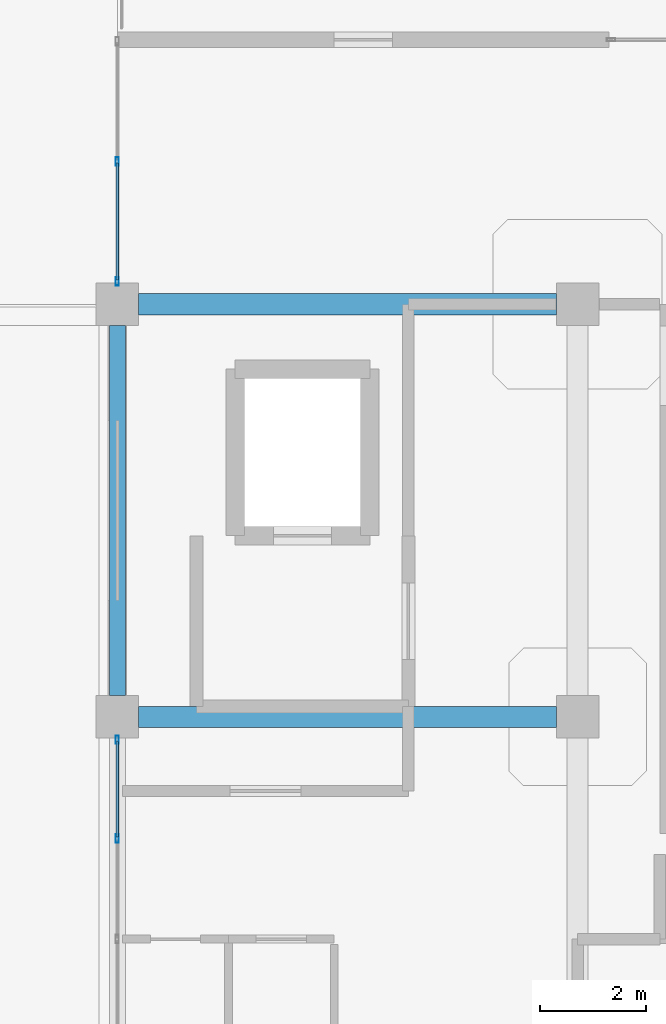
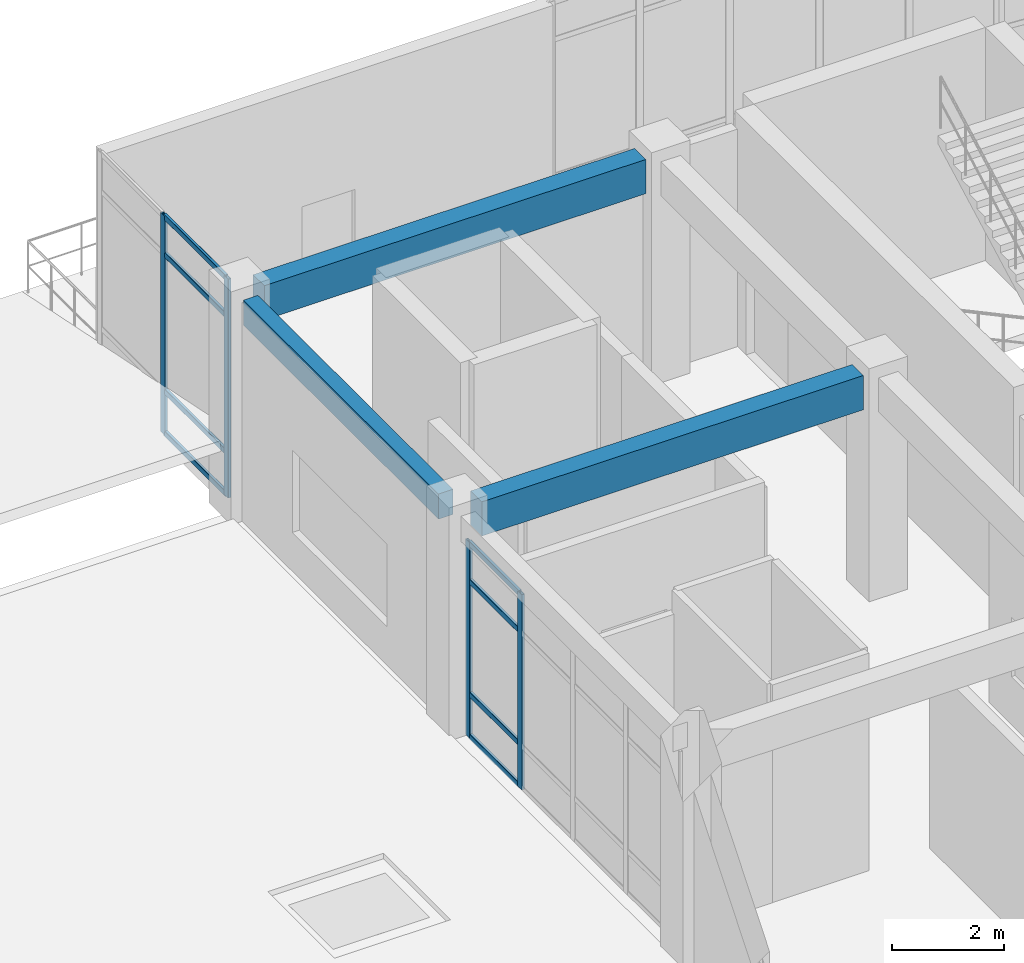
# One storey, part 65 of 124: 12 members, 3 beams, 2 elements without a shape of their own.
"""IFC4 building model written with IfcOpenShell, lengths in metres."""

from ifc_helpers import new_model, si_unit, derived_unit, direction, frame, origin, origin_2d, place, context, subcontext, project, spatial, rectangle, hollow_rectangle, extrude, material, layer, layer_set, material_profile, profile_set, type_object, element, aggregate, save


model = new_model("IFC4")

# Units and contexts
model_context = context("Model", 3, precision=1e-05, world=origin(), true_north=direction((0.0, 1.0)))
body_context = subcontext(model_context, "Body", "Model", "MODEL_VIEW")
ifc_project = project(units=[si_unit("LENGTHUNIT", "METRE"), si_unit("AREAUNIT", "SQUARE_METRE"), si_unit("VOLUMEUNIT", "CUBIC_METRE"), si_unit("PLANEANGLEUNIT", "RADIAN"), si_unit("MASSUNIT", "GRAM", prefix="KILO"), derived_unit("THERMALTRANSMITTANCEUNIT", [(si_unit("MASSUNIT", "GRAM", prefix="KILO"), 1), (si_unit("TIMEUNIT", "SECOND"), -3), (si_unit("THERMODYNAMICTEMPERATUREUNIT", "KELVIN"), -1)])], contexts=[model_context])

# Site, building, storey
site_placement = place(None, origin())
site = spatial("IfcSite", under=ifc_project, at=site_placement, CompositionType="ELEMENT")
building_placement = place(site_placement, origin())
building = spatial("IfcBuilding", under=site, at=building_placement, Name="Qinzheling Arcade Emporium", CompositionType="ELEMENT")
storey_placement = place(building_placement, frame((0.0, 0.0, 16.5)))
storey = spatial("IfcBuildingStorey", under=building, at=storey_placement, Name="L04", CompositionType="ELEMENT", Elevation=16.5)

# Curtain wall, members
ifc_material_1 = material(Name="Anodised aluminium and solar-control double glazing", Category="aluminium")
ifc_layer = layer(ifc_material_1, 0.159912109375, Name="Anodised aluminium and solar-control double glazing", Category="aluminium")
ifc_layer_set = layer_set([ifc_layer], Name="Anodised aluminium and solar-control double glazing")
curtain_wall_type = type_object("IfcCurtainWallType", Name="Arcade Portal Glazed Curtain Wall", PredefinedType="NOTDEFINED", material=ifc_layer_set)
curtain_wall_1_placement = place(storey_placement, origin())
curtain_wall_1 = element("IfcCurtainWall", 1, at=curtain_wall_1_placement, inside=storey, type_object=curtain_wall_type, Name="Curtain Wall CW-L04-261", PredefinedType="NOTDEFINED")
ifc_material_2 = material(Name="Anodised aluminium 6063-T6", Category="aluminium")
ifc_material_profile_1 = material_profile(ifc_material_2, hollow_rectangle(XDim=0.06005859375, YDim=0.159912109375, WallThickness=0.00390625, InnerFilletRadius=0.00390625, OuterFilletRadius=0.008056640625, at=origin_2d()), Name="RHS 160x60x4", Category="aluminium")
ifc_profile_set_1 = profile_set([ifc_material_profile_1], Name="Anodised aluminium 6063-T6")
member_type_1 = type_object("IfcMemberType", Name="Curtain Wall Mullion RHS160x60", PredefinedType="MULLION", material=ifc_profile_set_1)
member_1_placement = place(storey_placement, frame((104.39990234375, 96.698974609375, 0.0), z_axis=(0.0, 0.0, 1.0), x_axis=(-1.0, 0.0, 0.0)))
member_1 = element("IfcMember", 2, at=member_1_placement, type_object=member_type_1, Name="CW05 mullion 4", PredefinedType="MULLION", context=body_context, shape_type="SweptSolid", body=[
    extrude(hollow_rectangle(XDim=0.06005859375, YDim=0.159912109375, WallThickness=0.00390625, InnerFilletRadius=0.00390625, OuterFilletRadius=0.008056640625, at=origin_2d()), origin(), (0.0, 0.0, 1.0), 4.27001953125),
])
member_2_placement = place(storey_placement, frame((104.39990234375, 98.568115234375, 0.0), z_axis=(0.0, 0.0, 1.0), x_axis=(-1.0, 0.0, 0.0)))
member_2 = element("IfcMember", 3, at=member_2_placement, type_object=member_type_1, Name="CW05 mullion 5", PredefinedType="MULLION", context=body_context, shape_type="SweptSolid", body=[
    extrude(hollow_rectangle(XDim=0.06005859375, YDim=0.159912109375, WallThickness=0.00390625, InnerFilletRadius=0.00390625, OuterFilletRadius=0.008056640625, at=origin_2d()), origin(), (0.0, 0.0, 1.0), 4.27001953125),
])

curtain_wall_2_placement = place(storey_placement, origin())
curtain_wall_2 = element("IfcCurtainWall", 4, at=curtain_wall_2_placement, inside=storey, type_object=curtain_wall_type, Name="Curtain Wall CW-L04-262", PredefinedType="NOTDEFINED")
member_3_placement = place(storey_placement, frame((104.39990234375, 107.23193359375, 0.0), z_axis=(0.0, 0.0, 1.0), x_axis=(-1.0, 0.0, 0.0)))
member_3 = element("IfcMember", 5, at=member_3_placement, type_object=member_type_1, Name="CW05 mullion 1", PredefinedType="MULLION", context=body_context, shape_type="SweptSolid", body=[
    extrude(hollow_rectangle(XDim=0.06005859375, YDim=0.159912109375, WallThickness=0.00390625, InnerFilletRadius=0.00390625, OuterFilletRadius=0.008056640625, at=origin_2d()), origin(), (0.0, 0.0, 1.0), 4.7900390625),
])
member_4_placement = place(storey_placement, frame((104.39990234375, 109.5009765625, 0.0), z_axis=(0.0, 0.0, 1.0), x_axis=(-1.0, 0.0, 0.0)))
member_4 = element("IfcMember", 6, at=member_4_placement, type_object=member_type_1, Name="CW05 mullion 2", PredefinedType="MULLION", context=body_context, shape_type="SweptSolid", body=[
    extrude(hollow_rectangle(XDim=0.06005859375, YDim=0.159912109375, WallThickness=0.00390625, InnerFilletRadius=0.00390625, OuterFilletRadius=0.008056640625, at=origin_2d()), origin(), (0.0, 0.0, 1.0), 4.7900390625),
])

# Member
ifc_material_profile_2 = material_profile(ifc_material_2, hollow_rectangle(XDim=0.06005859375, YDim=0.1201171875, WallThickness=0.00390625, InnerFilletRadius=0.00390625, OuterFilletRadius=0.008056640625, at=origin_2d()), Name="RHS 120x60x4", Category="aluminium")
ifc_profile_set_2 = profile_set([ifc_material_profile_2], Name="Anodised aluminium 6063-T6")
member_type_2 = type_object("IfcMemberType", Name="Curtain Wall Transom RHS120x60", PredefinedType="USERDEFINED", material=ifc_profile_set_2)
member_5_placement = place(storey_placement, frame((104.39990234375, 96.72900390625, 0.030029296875), z_axis=(0.0, 1.0, 0.0), x_axis=(-1.0, 0.0, 0.0)))
member_5 = element("IfcMember", 7, at=member_5_placement, type_object=member_type_2, Name="CW05 transom 4.1", ObjectType="TRANSOM", PredefinedType="USERDEFINED", context=body_context, shape_type="SweptSolid", body=[
    extrude(hollow_rectangle(XDim=0.06005859375, YDim=0.1201171875, WallThickness=0.00390625, InnerFilletRadius=0.00390625, OuterFilletRadius=0.008056640625, at=origin_2d()), origin(), (0.0, 0.0, 1.0), 1.80908203125),
])

member_6_placement = place(storey_placement, frame((104.39990234375, 96.72900390625, 0.949951171875), z_axis=(0.0, 1.0, 0.0), x_axis=(-1.0, 0.0, 0.0)))
member_6 = element("IfcMember", 8, at=member_6_placement, type_object=member_type_2, Name="CW05 transom 4.2", ObjectType="TRANSOM", PredefinedType="USERDEFINED", context=body_context, shape_type="SweptSolid", body=[
    extrude(hollow_rectangle(XDim=0.06005859375, YDim=0.1201171875, WallThickness=0.00390625, InnerFilletRadius=0.00390625, OuterFilletRadius=0.008056640625, at=origin_2d()), origin(), (0.0, 0.0, 1.0), 1.80908203125),
])

member_7_placement = place(storey_placement, frame((104.39990234375, 96.72900390625, 3.419921875), z_axis=(0.0, 1.0, 0.0), x_axis=(-1.0, 0.0, 0.0)))
member_7 = element("IfcMember", 9, at=member_7_placement, type_object=member_type_2, Name="CW05 transom 4.3", ObjectType="TRANSOM", PredefinedType="USERDEFINED", context=body_context, shape_type="SweptSolid", body=[
    extrude(hollow_rectangle(XDim=0.06005859375, YDim=0.1201171875, WallThickness=0.00390625, InnerFilletRadius=0.00390625, OuterFilletRadius=0.008056640625, at=origin_2d()), origin(), (0.0, 0.0, 1.0), 1.80908203125),
])

member_8_placement = place(storey_placement, frame((104.39990234375, 96.72900390625, 4.239990234375), z_axis=(0.0, 1.0, 0.0), x_axis=(-1.0, 0.0, 0.0)))
member_8 = element("IfcMember", 10, at=member_8_placement, type_object=member_type_2, Name="CW05 transom 4.4", ObjectType="TRANSOM", PredefinedType="USERDEFINED", context=body_context, shape_type="SweptSolid", body=[
    extrude(hollow_rectangle(XDim=0.06005859375, YDim=0.1201171875, WallThickness=0.00390625, InnerFilletRadius=0.00390625, OuterFilletRadius=0.008056640625, at=origin_2d()), origin(), (0.0, 0.0, 1.0), 1.80908203125),
])

aggregate(curtain_wall_1, [member_1, member_2, member_5, member_6, member_7, member_8])

member_9_placement = place(storey_placement, frame((104.39990234375, 107.261962890625, 0.030029296875), z_axis=(0.0, 1.0, 0.0), x_axis=(-1.0, 0.0, 0.0)))
member_9 = element("IfcMember", 11, at=member_9_placement, type_object=member_type_2, Name="CW05 transom 1.1", ObjectType="TRANSOM", PredefinedType="USERDEFINED", context=body_context, shape_type="SweptSolid", body=[
    extrude(hollow_rectangle(XDim=0.06005859375, YDim=0.1201171875, WallThickness=0.00390625, InnerFilletRadius=0.00390625, OuterFilletRadius=0.008056640625, at=origin_2d()), origin(), (0.0, 0.0, 1.0), 2.208984375),
])

member_10_placement = place(storey_placement, frame((104.39990234375, 107.261962890625, 0.949951171875), z_axis=(0.0, 1.0, 0.0), x_axis=(-1.0, 0.0, 0.0)))
member_10 = element("IfcMember", 12, at=member_10_placement, type_object=member_type_2, Name="CW05 transom 1.2", ObjectType="TRANSOM", PredefinedType="USERDEFINED", context=body_context, shape_type="SweptSolid", body=[
    extrude(hollow_rectangle(XDim=0.06005859375, YDim=0.1201171875, WallThickness=0.00390625, InnerFilletRadius=0.00390625, OuterFilletRadius=0.008056640625, at=origin_2d()), origin(), (0.0, 0.0, 1.0), 2.208984375),
])

member_11_placement = place(storey_placement, frame((104.39990234375, 107.261962890625, 3.93994140625), z_axis=(0.0, 1.0, 0.0), x_axis=(-1.0, 0.0, 0.0)))
member_11 = element("IfcMember", 13, at=member_11_placement, type_object=member_type_2, Name="CW05 transom 1.3", ObjectType="TRANSOM", PredefinedType="USERDEFINED", context=body_context, shape_type="SweptSolid", body=[
    extrude(hollow_rectangle(XDim=0.06005859375, YDim=0.1201171875, WallThickness=0.00390625, InnerFilletRadius=0.00390625, OuterFilletRadius=0.008056640625, at=origin_2d()), origin(), (0.0, 0.0, 1.0), 2.208984375),
])

member_12_placement = place(storey_placement, frame((104.39990234375, 107.261962890625, 4.760009765625), z_axis=(0.0, 1.0, 0.0), x_axis=(-1.0, 0.0, 0.0)))
member_12 = element("IfcMember", 14, at=member_12_placement, type_object=member_type_2, Name="CW05 transom 1.4", ObjectType="TRANSOM", PredefinedType="USERDEFINED", context=body_context, shape_type="SweptSolid", body=[
    extrude(hollow_rectangle(XDim=0.06005859375, YDim=0.1201171875, WallThickness=0.00390625, InnerFilletRadius=0.00390625, OuterFilletRadius=0.008056640625, at=origin_2d()), origin(), (0.0, 0.0, 1.0), 2.208984375),
])

aggregate(curtain_wall_2, [member_3, member_4, member_9, member_10, member_11, member_12])

# Beams
ifc_material_3 = material(Name="Concrete C40", Category="concrete")
ifc_material_profile_3 = material_profile(ifc_material_3, rectangle(XDim=0.39990234375, YDim=0.75, at=origin_2d()), Name="RC 400x750", Category="concrete")
ifc_profile_set_3 = profile_set([ifc_material_profile_3], Name="Concrete C40")
beam_type_1 = type_object("IfcBeamType", Name="RC Interior Tie Beam 400x750 C40", PredefinedType="BEAM", material=ifc_profile_set_3)
for number, where, z_axis, x_axis, name in (
    (15, (104.800048828125, 99.0, 4.4599609375), (1.0, 0.0, 0.0), (0.0, 1.0, 0.0), "Beam BM-L04-X-M-13"),
    (16, (104.800048828125, 106.800048828125, 4.4599609375), (1.0, 0.0, 0.0), (0.0, 1.0, 0.0), "Beam BM-L04-X-N-13"),
):
    element("IfcBeam", number, at=place(storey_placement, frame(where, z_axis=z_axis, x_axis=x_axis)), inside=storey, type_object=beam_type_1, Name=name, PredefinedType="BEAM", context=body_context, shape_type="SweptSolid", body=[
        extrude(rectangle(XDim=0.39990234375, YDim=0.75, at=origin_2d()), origin(), (0.0, 0.0, 1.0), 7.89990234375),
    ])
ifc_material_profile_4 = material_profile(ifc_material_3, rectangle(XDim=0.300048828125, YDim=0.550048828125, at=origin_2d()), Name="RC 300x550", Category="concrete")
ifc_profile_set_4 = profile_set([ifc_material_profile_4], Name="Concrete C40")
beam_type_2 = type_object("IfcBeamType", Name="RC Terrace Spandrel Beam 300x550 C40", PredefinedType="SPANDREL", material=ifc_profile_set_4)
beam_placement = place(storey_placement, frame((104.39990234375, 99.39990234375, 4.56005859375), z_axis=(0.0, 1.0, 0.0), x_axis=(-1.0, 0.0, 0.0)))
element("IfcBeam", 17, at=beam_placement, inside=storey, type_object=beam_type_2, Name="Beam BM-L04-Y-13-M", PredefinedType="SPANDREL", context=body_context, shape_type="SweptSolid", body=[
    extrude(rectangle(XDim=0.300048828125, YDim=0.550048828125, at=origin_2d()), origin(), (0.0, 0.0, 1.0), 7.0),
])

save(model, "model.ifc")
